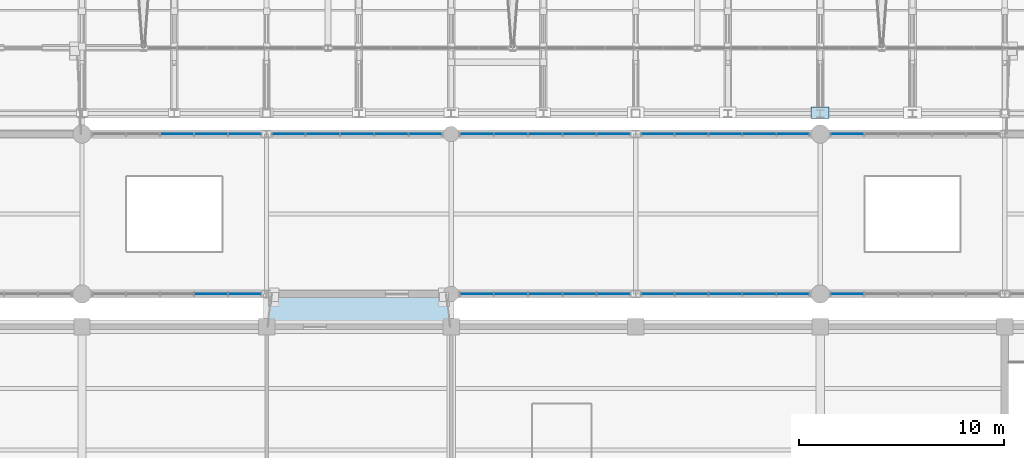
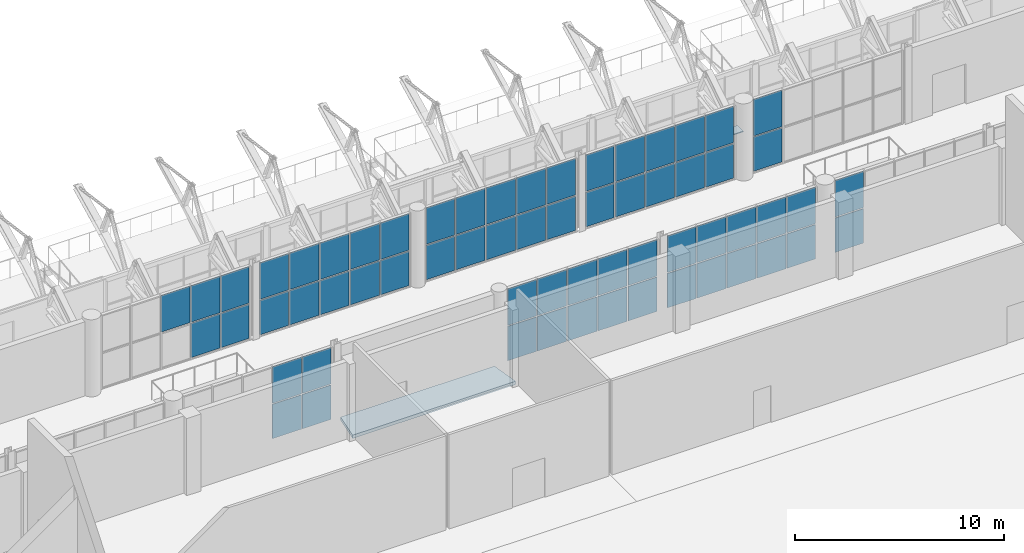
# One storey, part 93 of 134: 64 plates, 1 slab, 9 elements without a shape of their own.
"""IFC4 building model written with IfcOpenShell, lengths in metres."""

from ifc_helpers import new_model, si_unit, direction, frame, origin, origin_2d, place, context, subcontext, project, spatial, polyline, rectangle, outline, extrude, material, layer, layer_set, type_object, element, aggregate, save


model = new_model("IFC4")

# Units and contexts
model_context = context("Model", 3, precision=1e-05, world=origin(), true_north=direction((0.0, 1.0)))
body_context = subcontext(model_context, "Body", "Model", "MODEL_VIEW")
ifc_project = project(units=[si_unit("LENGTHUNIT", "METRE"), si_unit("AREAUNIT", "SQUARE_METRE"), si_unit("VOLUMEUNIT", "CUBIC_METRE"), si_unit("PLANEANGLEUNIT", "RADIAN"), si_unit("MASSUNIT", "GRAM", prefix="KILO")], contexts=[model_context])

# Site, building, storey
site_placement = place(None, origin())
site = spatial("IfcSite", under=ifc_project, at=site_placement, CompositionType="ELEMENT")
building_placement = place(site_placement, origin())
building = spatial("IfcBuilding", under=site, at=building_placement, Name="Cazmaro Siding Exhibition Halls", CompositionType="ELEMENT")
storey_placement = place(building_placement, frame((0.0, 0.0, 12.0)))
storey = spatial("IfcBuildingStorey", under=building, at=storey_placement, Name="L02", CompositionType="ELEMENT", Elevation=12.0)

# Plate
ifc_material_1 = material(Name="Steel ASTM A572 Grade 50", Category="steel")
ifc_layer_1 = layer(ifc_material_1, 0.053955078125)
ifc_layer_set_1 = layer_set([ifc_layer_1], Name="Steel ASTM A572 Grade 50")
plate_type_1 = type_object("IfcPlateType", Name="CP-10", PredefinedType="SHEET", material=ifc_layer_set_1)
plate_1_placement = place(storey_placement, frame((126.0, 64.050048828125, 1.9228515625), z_axis=(0.0, 0.0, 1.0), x_axis=(1.0, 0.0, 0.0)))
element("IfcPlate", 1, at=plate_1_placement, inside=storey, type_object=plate_type_1, Name="Space frame vault springing end-cap plate CP-10 node TN-01", PredefinedType="SHEET", context=body_context, shape_type="SweptSolid", body=[
    extrude(rectangle(XDim=0.8798828125, YDim=0.56005859375, at=origin_2d()), origin(), (0.0, 0.0, 1.0), 0.053955078125),
])

# Curtain wall, plates
ifc_material_2 = material(Name="Anodized Bronze Aluminum and Solar-Control Low-E Glazing", Category="aluminium")
ifc_layer_2 = layer(ifc_material_2, 0.199951171875)
ifc_layer_set_2 = layer_set([ifc_layer_2], Name="Anodized Bronze Aluminum and Solar-Control Low-E Glazing")
curtain_wall_type = type_object("IfcCurtainWallType", Name="CWS-02", PredefinedType="USERDEFINED", material=ifc_layer_set_2)
curtain_wall_1_placement = place(storey_placement, origin())
curtain_wall_1 = element("IfcCurtainWall", 2, at=curtain_wall_1_placement, inside=storey, type_object=curtain_wall_type, Name="Glazed Curtain Wall CWS-02 CW-173", ObjectType="GLAZED CURTAIN WALL", PredefinedType="USERDEFINED")
ifc_material_3 = material(Name="Solar-Control Low-E Double Insulating Glass", Category="glass")
ifc_layer_3 = layer(ifc_material_3, 0.035888671875)
ifc_layer_set_3 = layer_set([ifc_layer_3], Name="Solar-Control Low-E Double Insulating Glass")
plate_type_2 = type_object("IfcPlateType", Name="CWP-02", PredefinedType="CURTAIN_PANEL", material=ifc_layer_set_3)
plate_2_placement = place(storey_placement, frame((96.283935546875, 55.199951171875, 0.06494140625), z_axis=(0.0, 0.0, 1.0), x_axis=(1.0, 0.0, 0.0)))
plate_2 = element("IfcPlate", 3, at=plate_2_placement, type_object=plate_type_2, Name="CWS-02 panel 4.1", PredefinedType="CURTAIN_PANEL", context=body_context, shape_type="SweptSolid", body=[
    extrude(rectangle(XDim=1.59228515625, YDim=0.035888671875, at=origin_2d()), origin(), (0.0, 0.0, 1.0), 2.00244140625),
])
plate_3_placement = place(storey_placement, frame((96.283935546875, 55.199951171875, 2.132568359375), z_axis=(0.0, 0.0, 1.0), x_axis=(1.0, 0.0, 0.0)))
plate_3 = element("IfcPlate", 4, at=plate_3_placement, type_object=plate_type_2, Name="CWS-02 panel 4.2", PredefinedType="CURTAIN_PANEL", context=body_context, shape_type="SweptSolid", body=[
    extrude(rectangle(XDim=1.59228515625, YDim=0.035888671875, at=origin_2d()), origin(), (0.0, 0.0, 1.0), 2.12744140625),
])
plate_4_placement = place(storey_placement, frame((97.925048828125, 55.199951171875, 0.06494140625), z_axis=(0.0, 0.0, 1.0), x_axis=(1.0, 0.0, 0.0)))
plate_4 = element("IfcPlate", 5, at=plate_4_placement, type_object=plate_type_2, Name="CWS-02 panel 5.1", PredefinedType="CURTAIN_PANEL", context=body_context, shape_type="SweptSolid", body=[
    extrude(rectangle(XDim=1.559814453125, YDim=0.035888671875, at=origin_2d()), origin(), (0.0, 0.0, 1.0), 2.00244140625),
])
plate_5_placement = place(storey_placement, frame((97.925048828125, 55.199951171875, 2.132568359375), z_axis=(0.0, 0.0, 1.0), x_axis=(1.0, 0.0, 0.0)))
plate_5 = element("IfcPlate", 6, at=plate_5_placement, type_object=plate_type_2, Name="CWS-02 panel 5.2", PredefinedType="CURTAIN_PANEL", context=body_context, shape_type="SweptSolid", body=[
    extrude(rectangle(XDim=1.559814453125, YDim=0.035888671875, at=origin_2d()), origin(), (0.0, 0.0, 1.0), 2.12744140625),
])
aggregate(curtain_wall_1, [plate_2, plate_3, plate_4, plate_5])

curtain_wall_2_placement = place(storey_placement, origin())
curtain_wall_2 = element("IfcCurtainWall", 7, at=curtain_wall_2_placement, inside=storey, type_object=curtain_wall_type, Name="Glazed Curtain Wall CWS-02 CW-175", ObjectType="GLAZED CURTAIN WALL", PredefinedType="USERDEFINED")
plate_6_placement = place(storey_placement, frame((97.925048828125, 63.0, 0.06494140625), z_axis=(0.0, 0.0, 1.0), x_axis=(-1.0, 0.0, 0.0)))
plate_6 = element("IfcPlate", 8, at=plate_6_placement, type_object=plate_type_2, Name="CWS-02 panel 1.1", PredefinedType="CURTAIN_PANEL", context=body_context, shape_type="SweptSolid", body=[
    extrude(rectangle(XDim=1.559814453125, YDim=0.035888671875, at=origin_2d()), origin(), (0.0, 0.0, 1.0), 2.00244140625),
])
plate_7_placement = place(storey_placement, frame((97.925048828125, 63.0, 2.132568359375), z_axis=(0.0, 0.0, 1.0), x_axis=(-1.0, 0.0, 0.0)))
plate_7 = element("IfcPlate", 9, at=plate_7_placement, type_object=plate_type_2, Name="CWS-02 panel 1.2", PredefinedType="CURTAIN_PANEL", context=body_context, shape_type="SweptSolid", body=[
    extrude(rectangle(XDim=1.559814453125, YDim=0.035888671875, at=origin_2d()), origin(), (0.0, 0.0, 1.0), 2.12744140625),
])
plate_8_placement = place(storey_placement, frame((96.283935546875, 63.0, 0.06494140625), z_axis=(0.0, 0.0, 1.0), x_axis=(-1.0, 0.0, 0.0)))
plate_8 = element("IfcPlate", 10, at=plate_8_placement, type_object=plate_type_2, Name="CWS-02 panel 2.1", PredefinedType="CURTAIN_PANEL", context=body_context, shape_type="SweptSolid", body=[
    extrude(rectangle(XDim=1.59228515625, YDim=0.035888671875, at=origin_2d()), origin(), (0.0, 0.0, 1.0), 2.00244140625),
])
plate_9_placement = place(storey_placement, frame((96.283935546875, 63.0, 2.132568359375), z_axis=(0.0, 0.0, 1.0), x_axis=(-1.0, 0.0, 0.0)))
plate_9 = element("IfcPlate", 11, at=plate_9_placement, type_object=plate_type_2, Name="CWS-02 panel 2.2", PredefinedType="CURTAIN_PANEL", context=body_context, shape_type="SweptSolid", body=[
    extrude(rectangle(XDim=1.59228515625, YDim=0.035888671875, at=origin_2d()), origin(), (0.0, 0.0, 1.0), 2.12744140625),
])
plate_10_placement = place(storey_placement, frame((94.62646484375, 63.0, 2.132568359375), z_axis=(0.0, 0.0, 1.0), x_axis=(-1.0, 0.0, 0.0)))
plate_10 = element("IfcPlate", 12, at=plate_10_placement, type_object=plate_type_2, Name="CWS-02 panel 3.2", PredefinedType="CURTAIN_PANEL", context=body_context, shape_type="SweptSolid", body=[
    extrude(rectangle(XDim=1.59228515625, YDim=0.035888671875, at=origin_2d()), origin(), (0.0, 0.0, 1.0), 2.12744140625),
])
aggregate(curtain_wall_2, [plate_6, plate_7, plate_8, plate_9, plate_10])

curtain_wall_3_placement = place(storey_placement, origin())
curtain_wall_3 = element("IfcCurtainWall", 13, at=curtain_wall_3_placement, inside=storey, type_object=curtain_wall_type, Name="Glazed Curtain Wall CWS-02 CW-178", ObjectType="GLAZED CURTAIN WALL", PredefinedType="USERDEFINED")
plate_11_placement = place(storey_placement, frame((106.739501953125, 63.0, 0.06494140625), z_axis=(0.0, 0.0, 1.0), x_axis=(-1.0, 0.0, 0.0)))
plate_11 = element("IfcPlate", 14, at=plate_11_placement, type_object=plate_type_2, Name="CWS-02 panel 1.1", PredefinedType="CURTAIN_PANEL", context=body_context, shape_type="SweptSolid", body=[
    extrude(rectangle(XDim=1.574951171875, YDim=0.035888671875, at=origin_2d()), origin(), (0.0, 0.0, 1.0), 2.00244140625),
])
plate_12_placement = place(storey_placement, frame((106.739501953125, 63.0, 2.132568359375), z_axis=(0.0, 0.0, 1.0), x_axis=(-1.0, 0.0, 0.0)))
plate_12 = element("IfcPlate", 15, at=plate_12_placement, type_object=plate_type_2, Name="CWS-02 panel 1.2", PredefinedType="CURTAIN_PANEL", context=body_context, shape_type="SweptSolid", body=[
    extrude(rectangle(XDim=1.574951171875, YDim=0.035888671875, at=origin_2d()), origin(), (0.0, 0.0, 1.0), 2.12744140625),
])
plate_13_placement = place(storey_placement, frame((105.08349609375, 63.0, 0.06494140625), z_axis=(0.0, 0.0, 1.0), x_axis=(-1.0, 0.0, 0.0)))
plate_13 = element("IfcPlate", 16, at=plate_13_placement, type_object=plate_type_2, Name="CWS-02 panel 2.1", PredefinedType="CURTAIN_PANEL", context=body_context, shape_type="SweptSolid", body=[
    extrude(rectangle(XDim=1.607421875, YDim=0.035888671875, at=origin_2d()), origin(), (0.0, 0.0, 1.0), 2.00244140625),
])
plate_14_placement = place(storey_placement, frame((105.08349609375, 63.0, 2.132568359375), z_axis=(0.0, 0.0, 1.0), x_axis=(-1.0, 0.0, 0.0)))
plate_14 = element("IfcPlate", 17, at=plate_14_placement, type_object=plate_type_2, Name="CWS-02 panel 2.2", PredefinedType="CURTAIN_PANEL", context=body_context, shape_type="SweptSolid", body=[
    extrude(rectangle(XDim=1.607421875, YDim=0.035888671875, at=origin_2d()), origin(), (0.0, 0.0, 1.0), 2.12744140625),
])
plate_15_placement = place(storey_placement, frame((103.410888671875, 63.0, 0.06494140625), z_axis=(0.0, 0.0, 1.0), x_axis=(-1.0, 0.0, 0.0)))
plate_15 = element("IfcPlate", 18, at=plate_15_placement, type_object=plate_type_2, Name="CWS-02 panel 3.1", PredefinedType="CURTAIN_PANEL", context=body_context, shape_type="SweptSolid", body=[
    extrude(rectangle(XDim=1.607421875, YDim=0.035888671875, at=origin_2d()), origin(), (0.0, 0.0, 1.0), 2.00244140625),
])
plate_16_placement = place(storey_placement, frame((103.410888671875, 63.0, 2.132568359375), z_axis=(0.0, 0.0, 1.0), x_axis=(-1.0, 0.0, 0.0)))
plate_16 = element("IfcPlate", 19, at=plate_16_placement, type_object=plate_type_2, Name="CWS-02 panel 3.2", PredefinedType="CURTAIN_PANEL", context=body_context, shape_type="SweptSolid", body=[
    extrude(rectangle(XDim=1.607421875, YDim=0.035888671875, at=origin_2d()), origin(), (0.0, 0.0, 1.0), 2.12744140625),
])
plate_17_placement = place(storey_placement, frame((101.738525390625, 63.0, 0.06494140625), z_axis=(0.0, 0.0, 1.0), x_axis=(-1.0, 0.0, 0.0)))
plate_17 = element("IfcPlate", 20, at=plate_17_placement, type_object=plate_type_2, Name="CWS-02 panel 4.1", PredefinedType="CURTAIN_PANEL", context=body_context, shape_type="SweptSolid", body=[
    extrude(rectangle(XDim=1.607421875, YDim=0.035888671875, at=origin_2d()), origin(), (0.0, 0.0, 1.0), 2.00244140625),
])
plate_18_placement = place(storey_placement, frame((101.738525390625, 63.0, 2.132568359375), z_axis=(0.0, 0.0, 1.0), x_axis=(-1.0, 0.0, 0.0)))
plate_18 = element("IfcPlate", 21, at=plate_18_placement, type_object=plate_type_2, Name="CWS-02 panel 4.2", PredefinedType="CURTAIN_PANEL", context=body_context, shape_type="SweptSolid", body=[
    extrude(rectangle(XDim=1.607421875, YDim=0.035888671875, at=origin_2d()), origin(), (0.0, 0.0, 1.0), 2.12744140625),
])
plate_19_placement = place(storey_placement, frame((100.08251953125, 63.0, 0.06494140625), z_axis=(0.0, 0.0, 1.0), x_axis=(-1.0, 0.0, 0.0)))
plate_19 = element("IfcPlate", 22, at=plate_19_placement, type_object=plate_type_2, Name="CWS-02 panel 5.1", PredefinedType="CURTAIN_PANEL", context=body_context, shape_type="SweptSolid", body=[
    extrude(rectangle(XDim=1.574951171875, YDim=0.035888671875, at=origin_2d()), origin(), (0.0, 0.0, 1.0), 2.00244140625),
])
plate_20_placement = place(storey_placement, frame((100.08251953125, 63.0, 2.132568359375), z_axis=(0.0, 0.0, 1.0), x_axis=(-1.0, 0.0, 0.0)))
plate_20 = element("IfcPlate", 23, at=plate_20_placement, type_object=plate_type_2, Name="CWS-02 panel 5.2", PredefinedType="CURTAIN_PANEL", context=body_context, shape_type="SweptSolid", body=[
    extrude(rectangle(XDim=1.574951171875, YDim=0.035888671875, at=origin_2d()), origin(), (0.0, 0.0, 1.0), 2.12744140625),
])
aggregate(curtain_wall_3, [plate_11, plate_12, plate_13, plate_14, plate_15, plate_16, plate_17, plate_18, plate_19, plate_20])

curtain_wall_4_placement = place(storey_placement, origin())
curtain_wall_4 = element("IfcCurtainWall", 24, at=curtain_wall_4_placement, inside=storey, type_object=curtain_wall_type, Name="Glazed Curtain Wall CWS-02 CW-182", ObjectType="GLAZED CURTAIN WALL", PredefinedType="USERDEFINED")
plate_21_placement = place(storey_placement, frame((109.260498046875, 55.199951171875, 0.06494140625), z_axis=(0.0, 0.0, 1.0), x_axis=(1.0, 0.0, 0.0)))
plate_21 = element("IfcPlate", 25, at=plate_21_placement, type_object=plate_type_2, Name="CWS-02 panel 1.1", PredefinedType="CURTAIN_PANEL", context=body_context, shape_type="SweptSolid", body=[
    extrude(rectangle(XDim=1.574951171875, YDim=0.035888671875, at=origin_2d()), origin(), (0.0, 0.0, 1.0), 2.00244140625),
])
plate_22_placement = place(storey_placement, frame((109.260498046875, 55.199951171875, 2.132568359375), z_axis=(0.0, 0.0, 1.0), x_axis=(1.0, 0.0, 0.0)))
plate_22 = element("IfcPlate", 26, at=plate_22_placement, type_object=plate_type_2, Name="CWS-02 panel 1.2", PredefinedType="CURTAIN_PANEL", context=body_context, shape_type="SweptSolid", body=[
    extrude(rectangle(XDim=1.574951171875, YDim=0.035888671875, at=origin_2d()), origin(), (0.0, 0.0, 1.0), 2.12744140625),
])
plate_23_placement = place(storey_placement, frame((110.91650390625, 55.199951171875, 0.06494140625), z_axis=(0.0, 0.0, 1.0), x_axis=(1.0, 0.0, 0.0)))
plate_23 = element("IfcPlate", 27, at=plate_23_placement, type_object=plate_type_2, Name="CWS-02 panel 2.1", PredefinedType="CURTAIN_PANEL", context=body_context, shape_type="SweptSolid", body=[
    extrude(rectangle(XDim=1.607421875, YDim=0.035888671875, at=origin_2d()), origin(), (0.0, 0.0, 1.0), 2.00244140625),
])
plate_24_placement = place(storey_placement, frame((110.91650390625, 55.199951171875, 2.132568359375), z_axis=(0.0, 0.0, 1.0), x_axis=(1.0, 0.0, 0.0)))
plate_24 = element("IfcPlate", 28, at=plate_24_placement, type_object=plate_type_2, Name="CWS-02 panel 2.2", PredefinedType="CURTAIN_PANEL", context=body_context, shape_type="SweptSolid", body=[
    extrude(rectangle(XDim=1.607421875, YDim=0.035888671875, at=origin_2d()), origin(), (0.0, 0.0, 1.0), 2.12744140625),
])
plate_25_placement = place(storey_placement, frame((112.589111328125, 55.199951171875, 0.06494140625), z_axis=(0.0, 0.0, 1.0), x_axis=(1.0, 0.0, 0.0)))
plate_25 = element("IfcPlate", 29, at=plate_25_placement, type_object=plate_type_2, Name="CWS-02 panel 3.1", PredefinedType="CURTAIN_PANEL", context=body_context, shape_type="SweptSolid", body=[
    extrude(rectangle(XDim=1.607421875, YDim=0.035888671875, at=origin_2d()), origin(), (0.0, 0.0, 1.0), 2.00244140625),
])
plate_26_placement = place(storey_placement, frame((112.589111328125, 55.199951171875, 2.132568359375), z_axis=(0.0, 0.0, 1.0), x_axis=(1.0, 0.0, 0.0)))
plate_26 = element("IfcPlate", 30, at=plate_26_placement, type_object=plate_type_2, Name="CWS-02 panel 3.2", PredefinedType="CURTAIN_PANEL", context=body_context, shape_type="SweptSolid", body=[
    extrude(rectangle(XDim=1.607421875, YDim=0.035888671875, at=origin_2d()), origin(), (0.0, 0.0, 1.0), 2.12744140625),
])
plate_27_placement = place(storey_placement, frame((114.261474609375, 55.199951171875, 0.06494140625), z_axis=(0.0, 0.0, 1.0), x_axis=(1.0, 0.0, 0.0)))
plate_27 = element("IfcPlate", 31, at=plate_27_placement, type_object=plate_type_2, Name="CWS-02 panel 4.1", PredefinedType="CURTAIN_PANEL", context=body_context, shape_type="SweptSolid", body=[
    extrude(rectangle(XDim=1.607421875, YDim=0.035888671875, at=origin_2d()), origin(), (0.0, 0.0, 1.0), 2.00244140625),
])
plate_28_placement = place(storey_placement, frame((114.261474609375, 55.199951171875, 2.132568359375), z_axis=(0.0, 0.0, 1.0), x_axis=(1.0, 0.0, 0.0)))
plate_28 = element("IfcPlate", 32, at=plate_28_placement, type_object=plate_type_2, Name="CWS-02 panel 4.2", PredefinedType="CURTAIN_PANEL", context=body_context, shape_type="SweptSolid", body=[
    extrude(rectangle(XDim=1.607421875, YDim=0.035888671875, at=origin_2d()), origin(), (0.0, 0.0, 1.0), 2.12744140625),
])
plate_29_placement = place(storey_placement, frame((115.91748046875, 55.199951171875, 0.06494140625), z_axis=(0.0, 0.0, 1.0), x_axis=(1.0, 0.0, 0.0)))
plate_29 = element("IfcPlate", 33, at=plate_29_placement, type_object=plate_type_2, Name="CWS-02 panel 5.1", PredefinedType="CURTAIN_PANEL", context=body_context, shape_type="SweptSolid", body=[
    extrude(rectangle(XDim=1.574951171875, YDim=0.035888671875, at=origin_2d()), origin(), (0.0, 0.0, 1.0), 2.00244140625),
])
plate_30_placement = place(storey_placement, frame((115.91748046875, 55.199951171875, 2.132568359375), z_axis=(0.0, 0.0, 1.0), x_axis=(1.0, 0.0, 0.0)))
plate_30 = element("IfcPlate", 34, at=plate_30_placement, type_object=plate_type_2, Name="CWS-02 panel 5.2", PredefinedType="CURTAIN_PANEL", context=body_context, shape_type="SweptSolid", body=[
    extrude(rectangle(XDim=1.574951171875, YDim=0.035888671875, at=origin_2d()), origin(), (0.0, 0.0, 1.0), 2.12744140625),
])
aggregate(curtain_wall_4, [plate_21, plate_22, plate_23, plate_24, plate_25, plate_26, plate_27, plate_28, plate_29, plate_30])

curtain_wall_5_placement = place(storey_placement, origin())
curtain_wall_5 = element("IfcCurtainWall", 35, at=curtain_wall_5_placement, inside=storey, type_object=curtain_wall_type, Name="Glazed Curtain Wall CWS-02 CW-184", ObjectType="GLAZED CURTAIN WALL", PredefinedType="USERDEFINED")
plate_31_placement = place(storey_placement, frame((115.91748046875, 63.0, 0.06494140625), z_axis=(0.0, 0.0, 1.0), x_axis=(-1.0, 0.0, 0.0)))
plate_31 = element("IfcPlate", 36, at=plate_31_placement, type_object=plate_type_2, Name="CWS-02 panel 1.1", PredefinedType="CURTAIN_PANEL", context=body_context, shape_type="SweptSolid", body=[
    extrude(rectangle(XDim=1.574951171875, YDim=0.035888671875, at=origin_2d()), origin(), (0.0, 0.0, 1.0), 2.00244140625),
])
plate_32_placement = place(storey_placement, frame((115.91748046875, 63.0, 2.132568359375), z_axis=(0.0, 0.0, 1.0), x_axis=(-1.0, 0.0, 0.0)))
plate_32 = element("IfcPlate", 37, at=plate_32_placement, type_object=plate_type_2, Name="CWS-02 panel 1.2", PredefinedType="CURTAIN_PANEL", context=body_context, shape_type="SweptSolid", body=[
    extrude(rectangle(XDim=1.574951171875, YDim=0.035888671875, at=origin_2d()), origin(), (0.0, 0.0, 1.0), 2.12744140625),
])
plate_33_placement = place(storey_placement, frame((114.261474609375, 63.0, 0.06494140625), z_axis=(0.0, 0.0, 1.0), x_axis=(-1.0, 0.0, 0.0)))
plate_33 = element("IfcPlate", 38, at=plate_33_placement, type_object=plate_type_2, Name="CWS-02 panel 2.1", PredefinedType="CURTAIN_PANEL", context=body_context, shape_type="SweptSolid", body=[
    extrude(rectangle(XDim=1.607421875, YDim=0.035888671875, at=origin_2d()), origin(), (0.0, 0.0, 1.0), 2.00244140625),
])
plate_34_placement = place(storey_placement, frame((114.261474609375, 63.0, 2.132568359375), z_axis=(0.0, 0.0, 1.0), x_axis=(-1.0, 0.0, 0.0)))
plate_34 = element("IfcPlate", 39, at=plate_34_placement, type_object=plate_type_2, Name="CWS-02 panel 2.2", PredefinedType="CURTAIN_PANEL", context=body_context, shape_type="SweptSolid", body=[
    extrude(rectangle(XDim=1.607421875, YDim=0.035888671875, at=origin_2d()), origin(), (0.0, 0.0, 1.0), 2.12744140625),
])
plate_35_placement = place(storey_placement, frame((112.589111328125, 63.0, 0.06494140625), z_axis=(0.0, 0.0, 1.0), x_axis=(-1.0, 0.0, 0.0)))
plate_35 = element("IfcPlate", 40, at=plate_35_placement, type_object=plate_type_2, Name="CWS-02 panel 3.1", PredefinedType="CURTAIN_PANEL", context=body_context, shape_type="SweptSolid", body=[
    extrude(rectangle(XDim=1.607421875, YDim=0.035888671875, at=origin_2d()), origin(), (0.0, 0.0, 1.0), 2.00244140625),
])
plate_36_placement = place(storey_placement, frame((112.589111328125, 63.0, 2.132568359375), z_axis=(0.0, 0.0, 1.0), x_axis=(-1.0, 0.0, 0.0)))
plate_36 = element("IfcPlate", 41, at=plate_36_placement, type_object=plate_type_2, Name="CWS-02 panel 3.2", PredefinedType="CURTAIN_PANEL", context=body_context, shape_type="SweptSolid", body=[
    extrude(rectangle(XDim=1.607421875, YDim=0.035888671875, at=origin_2d()), origin(), (0.0, 0.0, 1.0), 2.12744140625),
])
plate_37_placement = place(storey_placement, frame((110.91650390625, 63.0, 0.06494140625), z_axis=(0.0, 0.0, 1.0), x_axis=(-1.0, 0.0, 0.0)))
plate_37 = element("IfcPlate", 42, at=plate_37_placement, type_object=plate_type_2, Name="CWS-02 panel 4.1", PredefinedType="CURTAIN_PANEL", context=body_context, shape_type="SweptSolid", body=[
    extrude(rectangle(XDim=1.607421875, YDim=0.035888671875, at=origin_2d()), origin(), (0.0, 0.0, 1.0), 2.00244140625),
])
plate_38_placement = place(storey_placement, frame((110.91650390625, 63.0, 2.132568359375), z_axis=(0.0, 0.0, 1.0), x_axis=(-1.0, 0.0, 0.0)))
plate_38 = element("IfcPlate", 43, at=plate_38_placement, type_object=plate_type_2, Name="CWS-02 panel 4.2", PredefinedType="CURTAIN_PANEL", context=body_context, shape_type="SweptSolid", body=[
    extrude(rectangle(XDim=1.607421875, YDim=0.035888671875, at=origin_2d()), origin(), (0.0, 0.0, 1.0), 2.12744140625),
])
plate_39_placement = place(storey_placement, frame((109.260498046875, 63.0, 0.06494140625), z_axis=(0.0, 0.0, 1.0), x_axis=(-1.0, 0.0, 0.0)))
plate_39 = element("IfcPlate", 44, at=plate_39_placement, type_object=plate_type_2, Name="CWS-02 panel 5.1", PredefinedType="CURTAIN_PANEL", context=body_context, shape_type="SweptSolid", body=[
    extrude(rectangle(XDim=1.574951171875, YDim=0.035888671875, at=origin_2d()), origin(), (0.0, 0.0, 1.0), 2.00244140625),
])
plate_40_placement = place(storey_placement, frame((109.260498046875, 63.0, 2.132568359375), z_axis=(0.0, 0.0, 1.0), x_axis=(-1.0, 0.0, 0.0)))
plate_40 = element("IfcPlate", 45, at=plate_40_placement, type_object=plate_type_2, Name="CWS-02 panel 5.2", PredefinedType="CURTAIN_PANEL", context=body_context, shape_type="SweptSolid", body=[
    extrude(rectangle(XDim=1.574951171875, YDim=0.035888671875, at=origin_2d()), origin(), (0.0, 0.0, 1.0), 2.12744140625),
])
aggregate(curtain_wall_5, [plate_31, plate_32, plate_33, plate_34, plate_35, plate_36, plate_37, plate_38, plate_39, plate_40])

curtain_wall_6_placement = place(storey_placement, origin())
curtain_wall_6 = element("IfcCurtainWall", 46, at=curtain_wall_6_placement, inside=storey, type_object=curtain_wall_type, Name="Glazed Curtain Wall CWS-02 CW-187", ObjectType="GLAZED CURTAIN WALL", PredefinedType="USERDEFINED")
plate_41_placement = place(storey_placement, frame((118.074951171875, 55.199951171875, 0.06494140625), z_axis=(0.0, 0.0, 1.0), x_axis=(1.0, 0.0, 0.0)))
plate_41 = element("IfcPlate", 47, at=plate_41_placement, type_object=plate_type_2, Name="CWS-02 panel 1.1", PredefinedType="CURTAIN_PANEL", context=body_context, shape_type="SweptSolid", body=[
    extrude(rectangle(XDim=1.559814453125, YDim=0.035888671875, at=origin_2d()), origin(), (0.0, 0.0, 1.0), 2.00244140625),
])
plate_42_placement = place(storey_placement, frame((118.074951171875, 55.199951171875, 2.132568359375), z_axis=(0.0, 0.0, 1.0), x_axis=(1.0, 0.0, 0.0)))
plate_42 = element("IfcPlate", 48, at=plate_42_placement, type_object=plate_type_2, Name="CWS-02 panel 1.2", PredefinedType="CURTAIN_PANEL", context=body_context, shape_type="SweptSolid", body=[
    extrude(rectangle(XDim=1.559814453125, YDim=0.035888671875, at=origin_2d()), origin(), (0.0, 0.0, 1.0), 2.12744140625),
])
plate_43_placement = place(storey_placement, frame((119.716064453125, 55.199951171875, 0.06494140625), z_axis=(0.0, 0.0, 1.0), x_axis=(1.0, 0.0, 0.0)))
plate_43 = element("IfcPlate", 49, at=plate_43_placement, type_object=plate_type_2, Name="CWS-02 panel 2.1", PredefinedType="CURTAIN_PANEL", context=body_context, shape_type="SweptSolid", body=[
    extrude(rectangle(XDim=1.59228515625, YDim=0.035888671875, at=origin_2d()), origin(), (0.0, 0.0, 1.0), 2.00244140625),
])
plate_44_placement = place(storey_placement, frame((119.716064453125, 55.199951171875, 2.132568359375), z_axis=(0.0, 0.0, 1.0), x_axis=(1.0, 0.0, 0.0)))
plate_44 = element("IfcPlate", 50, at=plate_44_placement, type_object=plate_type_2, Name="CWS-02 panel 2.2", PredefinedType="CURTAIN_PANEL", context=body_context, shape_type="SweptSolid", body=[
    extrude(rectangle(XDim=1.59228515625, YDim=0.035888671875, at=origin_2d()), origin(), (0.0, 0.0, 1.0), 2.12744140625),
])
plate_45_placement = place(storey_placement, frame((121.37353515625, 55.199951171875, 0.06494140625), z_axis=(0.0, 0.0, 1.0), x_axis=(1.0, 0.0, 0.0)))
plate_45 = element("IfcPlate", 51, at=plate_45_placement, type_object=plate_type_2, Name="CWS-02 panel 3.1", PredefinedType="CURTAIN_PANEL", context=body_context, shape_type="SweptSolid", body=[
    extrude(rectangle(XDim=1.59228515625, YDim=0.035888671875, at=origin_2d()), origin(), (0.0, 0.0, 1.0), 2.00244140625),
])
plate_46_placement = place(storey_placement, frame((121.37353515625, 55.199951171875, 2.132568359375), z_axis=(0.0, 0.0, 1.0), x_axis=(1.0, 0.0, 0.0)))
plate_46 = element("IfcPlate", 52, at=plate_46_placement, type_object=plate_type_2, Name="CWS-02 panel 3.2", PredefinedType="CURTAIN_PANEL", context=body_context, shape_type="SweptSolid", body=[
    extrude(rectangle(XDim=1.59228515625, YDim=0.035888671875, at=origin_2d()), origin(), (0.0, 0.0, 1.0), 2.12744140625),
])
plate_47_placement = place(storey_placement, frame((123.031005859375, 55.199951171875, 0.06494140625), z_axis=(0.0, 0.0, 1.0), x_axis=(1.0, 0.0, 0.0)))
plate_47 = element("IfcPlate", 53, at=plate_47_placement, type_object=plate_type_2, Name="CWS-02 panel 4.1", PredefinedType="CURTAIN_PANEL", context=body_context, shape_type="SweptSolid", body=[
    extrude(rectangle(XDim=1.59228515625, YDim=0.035888671875, at=origin_2d()), origin(), (0.0, 0.0, 1.0), 2.00244140625),
])
plate_48_placement = place(storey_placement, frame((123.031005859375, 55.199951171875, 2.132568359375), z_axis=(0.0, 0.0, 1.0), x_axis=(1.0, 0.0, 0.0)))
plate_48 = element("IfcPlate", 54, at=plate_48_placement, type_object=plate_type_2, Name="CWS-02 panel 4.2", PredefinedType="CURTAIN_PANEL", context=body_context, shape_type="SweptSolid", body=[
    extrude(rectangle(XDim=1.59228515625, YDim=0.035888671875, at=origin_2d()), origin(), (0.0, 0.0, 1.0), 2.12744140625),
])
plate_49_placement = place(storey_placement, frame((124.672119140625, 55.199951171875, 0.06494140625), z_axis=(0.0, 0.0, 1.0), x_axis=(1.0, 0.0, 0.0)))
plate_49 = element("IfcPlate", 55, at=plate_49_placement, type_object=plate_type_2, Name="CWS-02 panel 5.1", PredefinedType="CURTAIN_PANEL", context=body_context, shape_type="SweptSolid", body=[
    extrude(rectangle(XDim=1.559814453125, YDim=0.035888671875, at=origin_2d()), origin(), (0.0, 0.0, 1.0), 2.00244140625),
])
plate_50_placement = place(storey_placement, frame((124.672119140625, 55.199951171875, 2.132568359375), z_axis=(0.0, 0.0, 1.0), x_axis=(1.0, 0.0, 0.0)))
plate_50 = element("IfcPlate", 56, at=plate_50_placement, type_object=plate_type_2, Name="CWS-02 panel 5.2", PredefinedType="CURTAIN_PANEL", context=body_context, shape_type="SweptSolid", body=[
    extrude(rectangle(XDim=1.559814453125, YDim=0.035888671875, at=origin_2d()), origin(), (0.0, 0.0, 1.0), 2.12744140625),
])
aggregate(curtain_wall_6, [plate_41, plate_42, plate_43, plate_44, plate_45, plate_46, plate_47, plate_48, plate_49, plate_50])

curtain_wall_7_placement = place(storey_placement, origin())
curtain_wall_7 = element("IfcCurtainWall", 57, at=curtain_wall_7_placement, inside=storey, type_object=curtain_wall_type, Name="Glazed Curtain Wall CWS-02 CW-189", ObjectType="GLAZED CURTAIN WALL", PredefinedType="USERDEFINED")
plate_51_placement = place(storey_placement, frame((124.672119140625, 63.0, 0.06494140625), z_axis=(0.0, 0.0, 1.0), x_axis=(-1.0, 0.0, 0.0)))
plate_51 = element("IfcPlate", 58, at=plate_51_placement, type_object=plate_type_2, Name="CWS-02 panel 1.1", PredefinedType="CURTAIN_PANEL", context=body_context, shape_type="SweptSolid", body=[
    extrude(rectangle(XDim=1.559814453125, YDim=0.035888671875, at=origin_2d()), origin(), (0.0, 0.0, 1.0), 2.00244140625),
])
plate_52_placement = place(storey_placement, frame((124.672119140625, 63.0, 2.132568359375), z_axis=(0.0, 0.0, 1.0), x_axis=(-1.0, 0.0, 0.0)))
plate_52 = element("IfcPlate", 59, at=plate_52_placement, type_object=plate_type_2, Name="CWS-02 panel 1.2", PredefinedType="CURTAIN_PANEL", context=body_context, shape_type="SweptSolid", body=[
    extrude(rectangle(XDim=1.559814453125, YDim=0.035888671875, at=origin_2d()), origin(), (0.0, 0.0, 1.0), 2.12744140625),
])
plate_53_placement = place(storey_placement, frame((123.031005859375, 63.0, 0.06494140625), z_axis=(0.0, 0.0, 1.0), x_axis=(-1.0, 0.0, 0.0)))
plate_53 = element("IfcPlate", 60, at=plate_53_placement, type_object=plate_type_2, Name="CWS-02 panel 2.1", PredefinedType="CURTAIN_PANEL", context=body_context, shape_type="SweptSolid", body=[
    extrude(rectangle(XDim=1.59228515625, YDim=0.035888671875, at=origin_2d()), origin(), (0.0, 0.0, 1.0), 2.00244140625),
])
plate_54_placement = place(storey_placement, frame((123.031005859375, 63.0, 2.132568359375), z_axis=(0.0, 0.0, 1.0), x_axis=(-1.0, 0.0, 0.0)))
plate_54 = element("IfcPlate", 61, at=plate_54_placement, type_object=plate_type_2, Name="CWS-02 panel 2.2", PredefinedType="CURTAIN_PANEL", context=body_context, shape_type="SweptSolid", body=[
    extrude(rectangle(XDim=1.59228515625, YDim=0.035888671875, at=origin_2d()), origin(), (0.0, 0.0, 1.0), 2.12744140625),
])
plate_55_placement = place(storey_placement, frame((121.37353515625, 63.0, 0.06494140625), z_axis=(0.0, 0.0, 1.0), x_axis=(-1.0, 0.0, 0.0)))
plate_55 = element("IfcPlate", 62, at=plate_55_placement, type_object=plate_type_2, Name="CWS-02 panel 3.1", PredefinedType="CURTAIN_PANEL", context=body_context, shape_type="SweptSolid", body=[
    extrude(rectangle(XDim=1.59228515625, YDim=0.035888671875, at=origin_2d()), origin(), (0.0, 0.0, 1.0), 2.00244140625),
])
plate_56_placement = place(storey_placement, frame((121.37353515625, 63.0, 2.132568359375), z_axis=(0.0, 0.0, 1.0), x_axis=(-1.0, 0.0, 0.0)))
plate_56 = element("IfcPlate", 63, at=plate_56_placement, type_object=plate_type_2, Name="CWS-02 panel 3.2", PredefinedType="CURTAIN_PANEL", context=body_context, shape_type="SweptSolid", body=[
    extrude(rectangle(XDim=1.59228515625, YDim=0.035888671875, at=origin_2d()), origin(), (0.0, 0.0, 1.0), 2.12744140625),
])
plate_57_placement = place(storey_placement, frame((119.716064453125, 63.0, 0.06494140625), z_axis=(0.0, 0.0, 1.0), x_axis=(-1.0, 0.0, 0.0)))
plate_57 = element("IfcPlate", 64, at=plate_57_placement, type_object=plate_type_2, Name="CWS-02 panel 4.1", PredefinedType="CURTAIN_PANEL", context=body_context, shape_type="SweptSolid", body=[
    extrude(rectangle(XDim=1.59228515625, YDim=0.035888671875, at=origin_2d()), origin(), (0.0, 0.0, 1.0), 2.00244140625),
])
plate_58_placement = place(storey_placement, frame((119.716064453125, 63.0, 2.132568359375), z_axis=(0.0, 0.0, 1.0), x_axis=(-1.0, 0.0, 0.0)))
plate_58 = element("IfcPlate", 65, at=plate_58_placement, type_object=plate_type_2, Name="CWS-02 panel 4.2", PredefinedType="CURTAIN_PANEL", context=body_context, shape_type="SweptSolid", body=[
    extrude(rectangle(XDim=1.59228515625, YDim=0.035888671875, at=origin_2d()), origin(), (0.0, 0.0, 1.0), 2.12744140625),
])
plate_59_placement = place(storey_placement, frame((118.074951171875, 63.0, 0.06494140625), z_axis=(0.0, 0.0, 1.0), x_axis=(-1.0, 0.0, 0.0)))
plate_59 = element("IfcPlate", 66, at=plate_59_placement, type_object=plate_type_2, Name="CWS-02 panel 5.1", PredefinedType="CURTAIN_PANEL", context=body_context, shape_type="SweptSolid", body=[
    extrude(rectangle(XDim=1.559814453125, YDim=0.035888671875, at=origin_2d()), origin(), (0.0, 0.0, 1.0), 2.00244140625),
])
plate_60_placement = place(storey_placement, frame((118.074951171875, 63.0, 2.132568359375), z_axis=(0.0, 0.0, 1.0), x_axis=(-1.0, 0.0, 0.0)))
plate_60 = element("IfcPlate", 67, at=plate_60_placement, type_object=plate_type_2, Name="CWS-02 panel 5.2", PredefinedType="CURTAIN_PANEL", context=body_context, shape_type="SweptSolid", body=[
    extrude(rectangle(XDim=1.559814453125, YDim=0.035888671875, at=origin_2d()), origin(), (0.0, 0.0, 1.0), 2.12744140625),
])
aggregate(curtain_wall_7, [plate_51, plate_52, plate_53, plate_54, plate_55, plate_56, plate_57, plate_58, plate_59, plate_60])

curtain_wall_8_placement = place(storey_placement, origin())
curtain_wall_8 = element("IfcCurtainWall", 68, at=curtain_wall_8_placement, inside=storey, type_object=curtain_wall_type, Name="Glazed Curtain Wall CWS-02 CW-193", ObjectType="GLAZED CURTAIN WALL", PredefinedType="USERDEFINED")
plate_61_placement = place(storey_placement, frame((127.327880859375, 55.199951171875, 0.06494140625), z_axis=(0.0, 0.0, 1.0), x_axis=(1.0, 0.0, 0.0)))
plate_61 = element("IfcPlate", 69, at=plate_61_placement, type_object=plate_type_2, Name="CWS-02 panel 1.1", PredefinedType="CURTAIN_PANEL", context=body_context, shape_type="SweptSolid", body=[
    extrude(rectangle(XDim=1.559814453125, YDim=0.035888671875, at=origin_2d()), origin(), (0.0, 0.0, 1.0), 2.00244140625),
])
plate_62_placement = place(storey_placement, frame((127.327880859375, 55.199951171875, 2.132568359375), z_axis=(0.0, 0.0, 1.0), x_axis=(1.0, 0.0, 0.0)))
plate_62 = element("IfcPlate", 70, at=plate_62_placement, type_object=plate_type_2, Name="CWS-02 panel 1.2", PredefinedType="CURTAIN_PANEL", context=body_context, shape_type="SweptSolid", body=[
    extrude(rectangle(XDim=1.559814453125, YDim=0.035888671875, at=origin_2d()), origin(), (0.0, 0.0, 1.0), 2.12744140625),
])
aggregate(curtain_wall_8, [plate_61, plate_62])

curtain_wall_9_placement = place(storey_placement, origin())
curtain_wall_9 = element("IfcCurtainWall", 71, at=curtain_wall_9_placement, inside=storey, type_object=curtain_wall_type, Name="Glazed Curtain Wall CWS-02 CW-195", ObjectType="GLAZED CURTAIN WALL", PredefinedType="USERDEFINED")
plate_63_placement = place(storey_placement, frame((127.327880859375, 63.0, 0.06494140625), z_axis=(0.0, 0.0, 1.0), x_axis=(-1.0, 0.0, 0.0)))
plate_63 = element("IfcPlate", 72, at=plate_63_placement, type_object=plate_type_2, Name="CWS-02 panel 5.1", PredefinedType="CURTAIN_PANEL", context=body_context, shape_type="SweptSolid", body=[
    extrude(rectangle(XDim=1.559814453125, YDim=0.035888671875, at=origin_2d()), origin(), (0.0, 0.0, 1.0), 2.00244140625),
])
plate_64_placement = place(storey_placement, frame((127.327880859375, 63.0, 2.132568359375), z_axis=(0.0, 0.0, 1.0), x_axis=(-1.0, 0.0, 0.0)))
plate_64 = element("IfcPlate", 73, at=plate_64_placement, type_object=plate_type_2, Name="CWS-02 panel 5.2", PredefinedType="CURTAIN_PANEL", context=body_context, shape_type="SweptSolid", body=[
    extrude(rectangle(XDim=1.559814453125, YDim=0.035888671875, at=origin_2d()), origin(), (0.0, 0.0, 1.0), 2.12744140625),
])
aggregate(curtain_wall_9, [plate_63, plate_64])

# Slab
ifc_material_4 = material(Name="Concrete f'c 35 MPa", Category="concrete")
ifc_layer_4 = layer(ifc_material_4, 0.18994140625)
ifc_layer_set_4 = layer_set([ifc_layer_4], Name="Concrete f'c 35 MPa")
slab_type = type_object("IfcSlabType", Name="FS-04", PredefinedType="FLOOR", material=ifc_layer_set_4)
slab_placement = place(storey_placement, frame((0.0, 0.0, -0.18994140625)))
element("IfcSlab", 74, at=slab_placement, inside=storey, type_object=slab_type, Name="Concourse Sliding Bridge SB-03 L02 FS-04 SLB-0051", PredefinedType="FLOOR", context=body_context, shape_type="SweptSolid", body=[
    extrude(outline(polyline([(99.0, 53.60009765625), (108.0, 53.60009765625), (107.75, 55.199951171875), (99.25, 55.199951171875), (99.0, 53.60009765625)])), origin(), (0.0, 0.0, 1.0), 0.18994140625),
])

save(model, "model.ifc")
